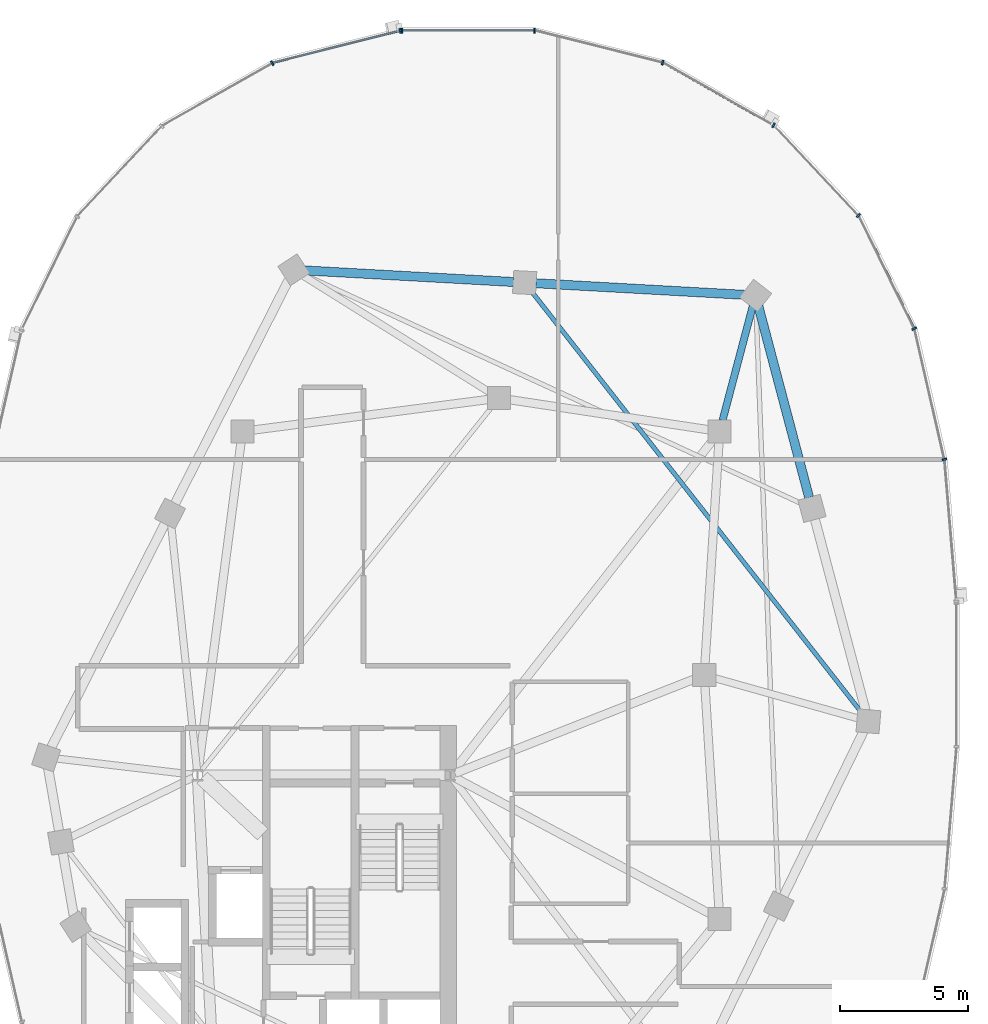
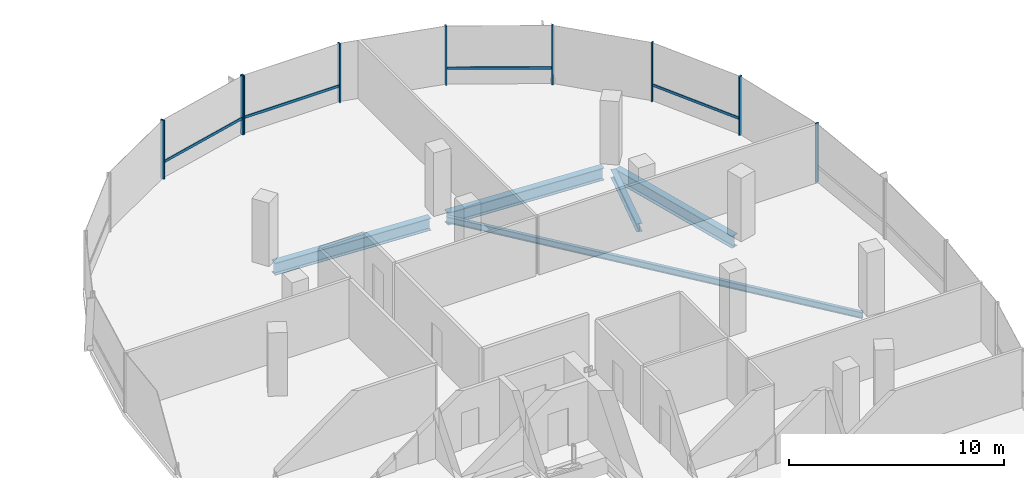
# One storey, part 12 of 25: 13 members, 5 beams, 2 elements without a shape of their own.
"""IFC4 building model written with IfcOpenShell, lengths in metres."""

from ifc_helpers import new_model, si_unit, direction, frame, origin, origin_2d, place, context, subcontext, project, spatial, rectangle, i_section, extrude, material, material_profile, profile_set, type_object, element, aggregate, save


model = new_model("IFC4")

# Units and contexts
model_context = context("Model", 3, precision=1e-05, world=origin(), true_north=direction((0.0, 1.0)))
body_context = subcontext(model_context, "Body", "Model", "MODEL_VIEW")
ifc_project = project(units=[si_unit("LENGTHUNIT", "METRE"), si_unit("AREAUNIT", "SQUARE_METRE"), si_unit("VOLUMEUNIT", "CUBIC_METRE"), si_unit("PLANEANGLEUNIT", "RADIAN"), si_unit("MASSUNIT", "GRAM", prefix="KILO"), si_unit("THERMODYNAMICTEMPERATUREUNIT", "KELVIN"), si_unit("POWERUNIT", "WATT")], contexts=[model_context])

# Site, building, storey
site_placement = place(None, origin())
site = spatial("IfcSite", under=ifc_project, at=site_placement, CompositionType="ELEMENT")
building_placement = place(site_placement, origin())
building = spatial("IfcBuilding", under=site, at=building_placement, Name="Cundina Bronze Exchange", CompositionType="ELEMENT")
storey_placement = place(building_placement, frame((0.0, 0.0, 206.199951171875)))
storey = spatial("IfcBuildingStorey", under=building, at=storey_placement, Name="L54", CompositionType="ELEMENT", Elevation=206.199951171875)

# Beams
ifc_material_1 = material(Name="Steel ASTM A992 Grade 50", Category="steel")
ifc_material_profile_1 = material_profile(ifc_material_1, i_section(OverallWidth=0.280029296875, OverallDepth=0.462890625, WebThickness=0.0107421875, FlangeThickness=0.017333984375, FilletRadius=0.011962890625, at=origin_2d()), Name="W18X76", Category="steel")
ifc_profile_set_1 = profile_set([ifc_material_profile_1], Name="Steel ASTM A992 Grade 50")
beam_type_1 = type_object("IfcBeamType", Name="BM-FLR-W18A", PredefinedType="BEAM", material=ifc_profile_set_1)
beam_1_placement = place(storey_placement, frame((41.911865234375, 9.923583984375, -0.491455078125), z_axis=(0.255398602339, 0.96683584642, 0.0), x_axis=(-0.96683584642, 0.255398602339, 0.0)))
element("IfcBeam", 1, at=beam_1_placement, inside=storey, type_object=beam_type_1, Name="L54 Leg E Chordal Floor Beam 10", PredefinedType="BEAM", context=body_context, shape_type="SweptSolid", body=[
    extrude(i_section(OverallWidth=0.280029296875, OverallDepth=0.462890625, WebThickness=0.0107421875, FlangeThickness=0.017333984375, FilletRadius=0.011962890625, at=origin_2d()), origin(), (0.0, 0.0, 1.0), 4.605712890625),
])
ifc_material_profile_2 = material_profile(ifc_material_1, i_section(OverallWidth=0.172119140625, OverallDepth=0.35791015625, WebThickness=0.0078125, FlangeThickness=0.01318359375, FilletRadius=0.010009765625, at=origin_2d()), Name="W14X38", Category="steel")
ifc_profile_set_2 = profile_set([ifc_material_profile_2], Name="Steel ASTM A992 Grade 50")
beam_type_2 = type_object("IfcBeamType", Name="BM-JST-W14", PredefinedType="JOIST", material=ifc_profile_set_2)
beam_2_placement = place(storey_placement, frame((47.329833984375, -1.455078125, -0.43896484375), z_axis=(-0.616810493522, 0.787111691618, 0.0), x_axis=(-0.787111691618, -0.616810493522, 0.0)))
element("IfcBeam", 2, at=beam_2_placement, inside=storey, type_object=beam_type_2, Name="L54 Leg E Lobe Floor Joist 08-11", PredefinedType="JOIST", context=body_context, shape_type="SweptSolid", body=[
    extrude(i_section(OverallWidth=0.172119140625, OverallDepth=0.35791015625, WebThickness=0.0078125, FlangeThickness=0.01318359375, FilletRadius=0.010009765625, at=origin_2d()), origin(), (0.0, 0.0, 1.0), 20.8486328125),
])
ifc_material_profile_3 = material_profile(ifc_material_1, i_section(OverallWidth=0.35498046875, OverallDepth=0.695068359375, WebThickness=0.015380859375, FlangeThickness=0.02490234375, FilletRadius=0.01806640625, at=origin_2d()), Name="W27X146", Category="steel")
ifc_profile_set_3 = profile_set([ifc_material_profile_3], Name="Steel ASTM A992 Grade 50")
beam_type_3 = type_object("IfcBeamType", Name="BM-RING-W27", PredefinedType="USERDEFINED", material=ifc_profile_set_3)
beam_3_placement = place(storey_placement, frame((45.287841796875, 6.92333984375, -0.607421875), z_axis=(-0.256211934474, 0.966620631185, 0.0), x_axis=(-0.966620631185, -0.256211934474, 0.0)))
element("IfcBeam", 3, at=beam_3_placement, inside=storey, type_object=beam_type_3, Name="L54 E Perimeter Ring Girder 09", ObjectType="GIRDER", PredefinedType="USERDEFINED", context=body_context, shape_type="SweptSolid", body=[
    extrude(i_section(OverallWidth=0.35498046875, OverallDepth=0.695068359375, WebThickness=0.015380859375, FlangeThickness=0.02490234375, FilletRadius=0.01806640625, at=origin_2d()), origin(), (0.0, 0.0, 1.0), 7.710693359375),
])
for number, where, z_axis, x_axis, name in (
    (4, (42.7626953125, 14.82421875, -0.607421875), (-0.998460353205, 0.055470019623, 0.0), (-0.055470019623, -0.998460353205, 0.0), "L54 E Perimeter Ring Girder 10"),
    (5, (33.7626953125, 15.32421875, -0.607421875), (-0.998460353205, 0.055470019623, 0.0), (-0.055470019623, -0.998460353205, 0.0), "L54 E Perimeter Ring Girder 11"),
):
    element("IfcBeam", number, at=place(storey_placement, frame(where, z_axis=z_axis, x_axis=x_axis)), inside=storey, type_object=beam_type_3, Name=name, ObjectType="GIRDER", PredefinedType="USERDEFINED", context=body_context, shape_type="SweptSolid", body=[
        extrude(i_section(OverallWidth=0.35498046875, OverallDepth=0.695068359375, WebThickness=0.015380859375, FlangeThickness=0.02490234375, FilletRadius=0.01806640625, at=origin_2d()), origin(), (0.0, 0.0, 1.0), 8.137939453125),
    ])

# Curtain wall, members
ifc_material_2 = material(Name="Anodised Bronze Aluminium 6063-T6", Category="aluminium")
curtain_wall_type = type_object("IfcCurtainWallType", Name="CWS-UPP-OFF", PredefinedType="NOTDEFINED", material=ifc_material_2)
curtain_wall_1_placement = place(storey_placement, origin())
curtain_wall_1 = element("IfcCurtainWall", 6, at=curtain_wall_1_placement, inside=storey, type_object=curtain_wall_type, Name="L54 CW-05 Curtain Wall Run CWR-L54-E1", PredefinedType="NOTDEFINED")
ifc_material_profile_4 = material_profile(ifc_material_2, rectangle(XDim=0.070068359375, YDim=0.18994140625, at=origin_2d()), Name="AL70X190", Category="aluminium")
ifc_profile_set_4 = profile_set([ifc_material_profile_4], Name="Anodised Bronze Aluminium 6063-T6")
member_type_1 = type_object("IfcMemberType", Name="CWM-MUL-190", PredefinedType="MULLION", material=ifc_profile_set_4)
member_1_placement = place(storey_placement, frame((50.56005859375, 8.4111328125, 0.0), z_axis=(0.0, 0.0, 1.0), x_axis=(-0.223250116011, 0.974761194191, 0.0)))
member_1 = element("IfcMember", 7, at=member_1_placement, type_object=member_type_1, Name="CW-05 Mullion 2", PredefinedType="MULLION", context=body_context, shape_type="SweptSolid", body=[
    extrude(rectangle(XDim=0.070068359375, YDim=0.18994140625, at=origin_2d()), origin(), (0.0, 0.0, 1.0), 3.340087890625),
])
member_2_placement = place(storey_placement, frame((49.38427734375, 13.50732421875, 0.0), z_axis=(0.0, 0.0, 1.0), x_axis=(-0.440566004113, 0.897720221461, 0.0)))
member_2 = element("IfcMember", 8, at=member_2_placement, type_object=member_type_1, Name="CW-05 Mullion 3", PredefinedType="MULLION", context=body_context, shape_type="SweptSolid", body=[
    extrude(rectangle(XDim=0.070068359375, YDim=0.18994140625, at=origin_2d()), origin(), (0.0, 0.0, 1.0), 3.340087890625),
])
member_3_placement = place(storey_placement, frame((47.209716796875, 17.91796875, 0.0), z_axis=(0.0, 0.0, 1.0), x_axis=(-0.684292606175, 0.729207535023, 0.0)))
member_3 = element("IfcMember", 9, at=member_3_placement, type_object=member_type_1, Name="CW-05 Mullion 4", PredefinedType="MULLION", context=body_context, shape_type="SweptSolid", body=[
    extrude(rectangle(XDim=0.070068359375, YDim=0.18994140625, at=origin_2d()), origin(), (0.0, 0.0, 1.0), 3.340087890625),
])
member_4_placement = place(storey_placement, frame((43.899658203125, 21.43115234375, 0.0), z_axis=(0.0, 0.0, 1.0), x_axis=(-0.86958112538, 0.493790103568, 0.0)))
member_4 = element("IfcMember", 10, at=member_4_placement, type_object=member_type_1, Name="CW-05 Mullion 5", PredefinedType="MULLION", context=body_context, shape_type="SweptSolid", body=[
    extrude(rectangle(XDim=0.070068359375, YDim=0.18994140625, at=origin_2d()), origin(), (0.0, 0.0, 1.0), 3.340087890625),
])
member_5_placement = place(storey_placement, frame((39.577392578125, 23.87548828125, 0.0), z_axis=(0.0, 0.0, 1.0), x_axis=(-0.969744325821, 0.244122802168, 0.0)))
member_5 = element("IfcMember", 11, at=member_5_placement, type_object=member_type_1, Name="CW-05 Mullion 6", PredefinedType="MULLION", context=body_context, shape_type="SweptSolid", body=[
    extrude(rectangle(XDim=0.070068359375, YDim=0.18994140625, at=origin_2d()), origin(), (0.0, 0.0, 1.0), 3.340087890625),
])
member_6_placement = place(storey_placement, frame((34.580078125, 25.125, 0.0), z_axis=(0.0, 0.0, 1.0), x_axis=(-1.0, 0.0, 0.0)))
member_6 = element("IfcMember", 12, at=member_6_placement, type_object=member_type_1, Name="CW-05 Mullion 7", PredefinedType="MULLION", context=body_context, shape_type="SweptSolid", body=[
    extrude(rectangle(XDim=0.070068359375, YDim=0.18994140625, at=origin_2d()), origin(), (0.0, 0.0, 1.0), 3.340087890625),
])
member_7_placement = place(storey_placement, frame((29.419921875, 25.125, 0.0), z_axis=(0.0, 0.0, 1.0), x_axis=(-1.0, 0.0, 0.0)))
member_7 = element("IfcMember", 13, at=member_7_placement, type_object=member_type_1, Name="CW-05 End Mullion", PredefinedType="MULLION", context=body_context, shape_type="SweptSolid", body=[
    extrude(rectangle(XDim=0.070068359375, YDim=0.18994140625, at=origin_2d()), origin(), (0.0, 0.0, 1.0), 3.340087890625),
])

curtain_wall_2_placement = place(storey_placement, origin())
curtain_wall_2 = element("IfcCurtainWall", 14, at=curtain_wall_2_placement, inside=storey, type_object=curtain_wall_type, Name="L54 CW-05 Curtain Wall Run CWR-L54-E2", PredefinedType="NOTDEFINED")
member_8_placement = place(storey_placement, frame((29.3515625, 25.116455078125, 0.0), z_axis=(0.0, 0.0, 1.0), x_axis=(-0.969744325821, -0.244122802168, 0.0)))
member_8 = element("IfcMember", 15, at=member_8_placement, type_object=member_type_1, Name="CW-05 Mullion 1", PredefinedType="MULLION", context=body_context, shape_type="SweptSolid", body=[
    extrude(rectangle(XDim=0.070068359375, YDim=0.18994140625, at=origin_2d()), origin(), (0.0, 0.0, 1.0), 3.340087890625),
])
member_9_placement = place(storey_placement, frame((24.361083984375, 23.850830078125, 0.0), z_axis=(0.0, 0.0, 1.0), x_axis=(-0.86958112538, -0.493790103568, 0.0)))
member_9 = element("IfcMember", 16, at=member_9_placement, type_object=member_type_1, Name="CW-05 Mullion 2", PredefinedType="MULLION", context=body_context, shape_type="SweptSolid", body=[
    extrude(rectangle(XDim=0.070068359375, YDim=0.18994140625, at=origin_2d()), origin(), (0.0, 0.0, 1.0), 3.340087890625),
])

# Member
ifc_material_profile_5 = material_profile(ifc_material_2, rectangle(XDim=0.06494140625, YDim=0.14990234375, at=origin_2d()), Name="AL65X150", Category="aluminium")
ifc_profile_set_5 = profile_set([ifc_material_profile_5], Name="Anodised Bronze Aluminium 6063-T6")
member_type_2 = type_object("IfcMemberType", Name="CWM-TRN-150", PredefinedType="USERDEFINED", material=ifc_profile_set_5)
member_10_placement = place(storey_placement, frame((49.3671875, 13.5419921875, 0.920166015625), z_axis=(-0.440483110889, 0.897760897467, 0.0), x_axis=(-0.897760897467, -0.440483110889, 0.0)))
member_10 = element("IfcMember", 17, at=member_10_placement, type_object=member_type_2, Name="CW-05 Spandrel Transom 3", ObjectType="TRANSOM", PredefinedType="USERDEFINED", context=body_context, shape_type="SweptSolid", body=[
    extrude(rectangle(XDim=0.06494140625, YDim=0.14990234375, at=origin_2d()), origin(), (0.0, 0.0, 1.0), 4.855224609375),
])

member_11_placement = place(storey_placement, frame((43.8662109375, 21.4501953125, 0.920166015625), z_axis=(-0.869573748083, 0.493803095013, 0.0), x_axis=(-0.493803095013, -0.869573748083, 0.0)))
member_11 = element("IfcMember", 18, at=member_11_placement, type_object=member_type_2, Name="CW-05 Spandrel Transom 5", ObjectType="TRANSOM", PredefinedType="USERDEFINED", context=body_context, shape_type="SweptSolid", body=[
    extrude(rectangle(XDim=0.06494140625, YDim=0.14990234375, at=origin_2d()), origin(), (0.0, 0.0, 1.0), 4.900146484375),
])

member_12_placement = place(storey_placement, frame((34.54150390625, 25.125, 0.920166015625), z_axis=(-1.0, 0.0, 0.0), x_axis=(0.0, -1.0, 0.0)))
member_12 = element("IfcMember", 19, at=member_12_placement, type_object=member_type_2, Name="CW-05 Spandrel Transom 7", ObjectType="TRANSOM", PredefinedType="USERDEFINED", context=body_context, shape_type="SweptSolid", body=[
    extrude(rectangle(XDim=0.06494140625, YDim=0.14990234375, at=origin_2d()), origin(), (0.0, 0.0, 1.0), 5.0830078125),
])

aggregate(curtain_wall_1, [member_1, member_2, member_10, member_3, member_4, member_11, member_5, member_6, member_7, member_12])

member_13_placement = place(storey_placement, frame((29.314208984375, 25.107177734375, 0.920166015625), z_axis=(-0.969725738797, -0.244196624699, 0.0), x_axis=(0.244196624699, -0.969725738797, 0.0)))
member_13 = element("IfcMember", 20, at=member_13_placement, type_object=member_type_2, Name="CW-05 Spandrel Transom 1", ObjectType="TRANSOM", PredefinedType="USERDEFINED", context=body_context, shape_type="SweptSolid", body=[
    extrude(rectangle(XDim=0.06494140625, YDim=0.14990234375, at=origin_2d()), origin(), (0.0, 0.0, 1.0), 5.082763671875),
])

aggregate(curtain_wall_2, [member_8, member_13, member_9])

save(model, "model.ifc")
